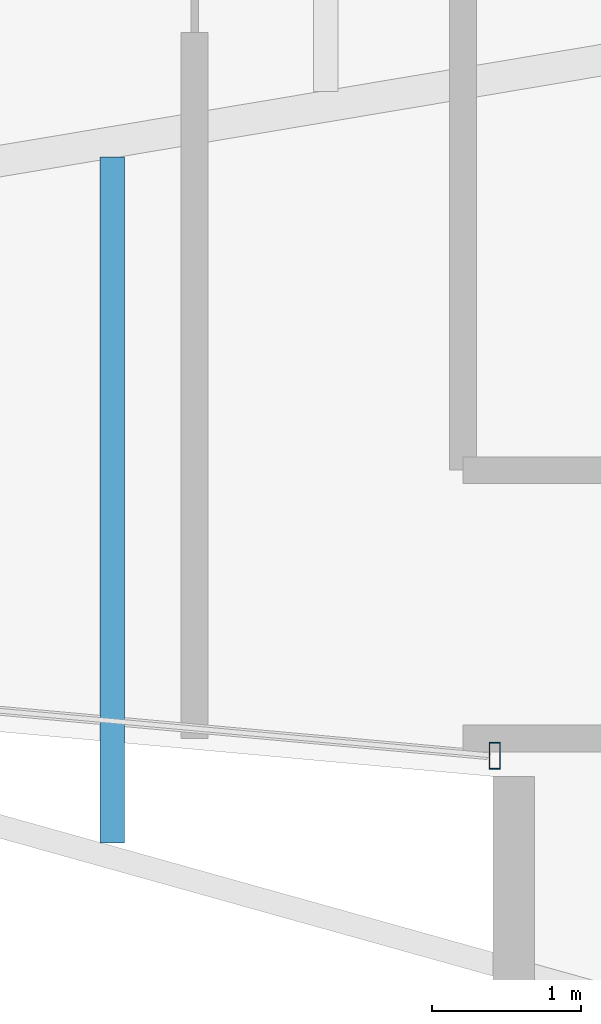
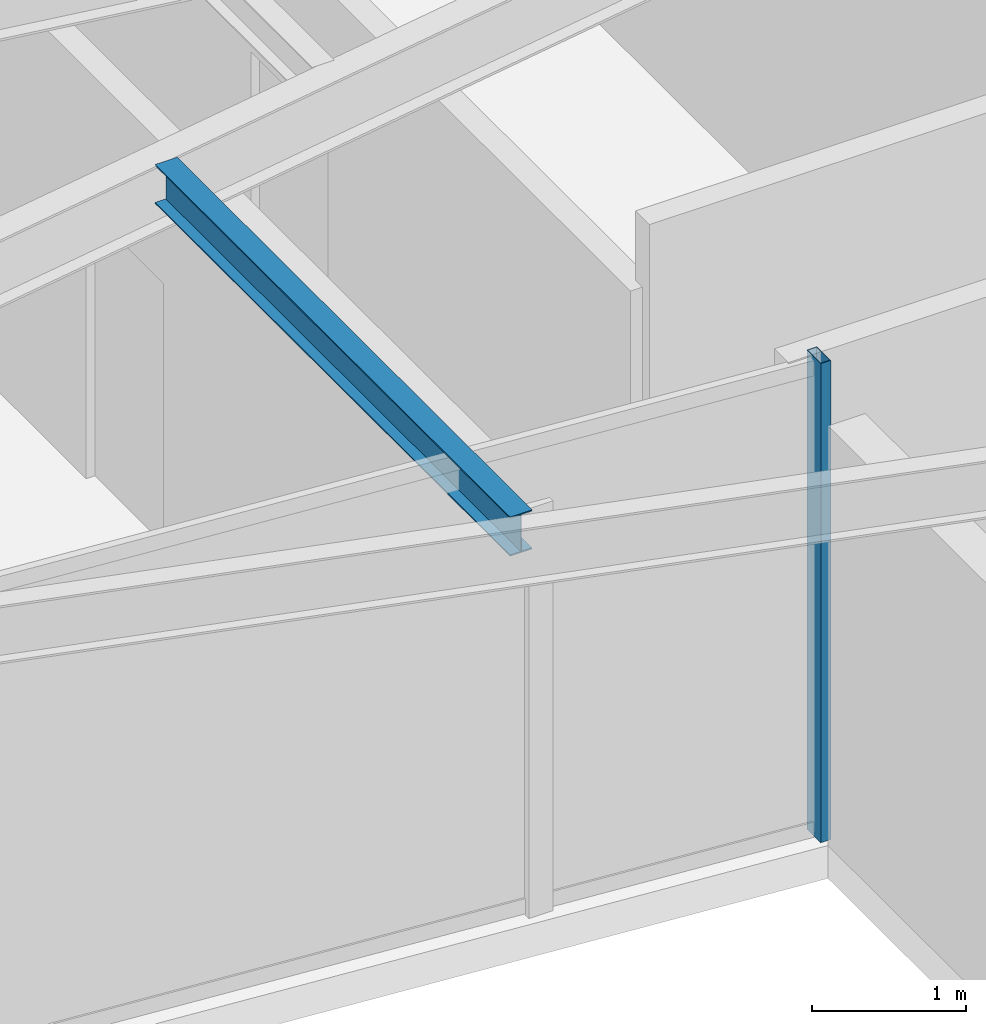
# One storey, part 4 of 23: 1 beam, 1 member, 1 element without a shape of its own.
"""IFC4 building model written with IfcOpenShell, lengths in metres."""

import ifcopenshell
import ifcopenshell.guid

model = None  # the IFC model being written
_history = None  # IfcOwnerHistory: only IFC2X3 demands one
_inside = {}  # id of a spatial element -> (the spatial element, [elements in it])
_under = {}  # id of a project, library or spatial element -> (it, [spatial elements below it])
_declared = {}  # id of a project -> (the project, [libraries it declares])
_typed = {}  # id of a type object -> (the type object, [elements of that type])
_made_of = {}  # id of a material, layer set ... -> (it, [elements and type objects made of it])


def new_model(schema):
    """Start an empty IFC model of exactly this schema.

    Asked for "IFC4X3", IfcOpenShell would pick the latest addendum, in which some entities
    have other attributes; the version numbers below select the first issue.
    IFC2X3 requires an IfcOwnerHistory on every rooted entity: one is made here for all.
    """
    global model, _history
    if schema == "IFC4X3":
        model = ifcopenshell.file(schema_version=(4, 3, 0, 0))
    else:
        model = ifcopenshell.file(schema=schema)
    _inside.clear()
    _under.clear()
    _declared.clear()
    _typed.clear()
    _made_of.clear()
    _history = None
    if model.schema == "IFC2X3":
        org = make("IfcOrganization", Name="unknown")
        user = make(
            "IfcPersonAndOrganization",
            ThePerson=make("IfcPerson", FamilyName="unknown"),
            TheOrganization=org,
        )
        app = make(
            "IfcApplication",
            ApplicationDeveloper=org,
            Version="unknown",
            ApplicationFullName="unknown",
            ApplicationIdentifier="unknown",
        )
        _history = make(
            "IfcOwnerHistory",
            OwningUser=user,
            OwningApplication=app,
            ChangeAction="ADDED",
            CreationDate=0,
        )
    return model


def make(cls, **values):
    """One entity of the class cls with the attributes given. An attribute that is None is left unset."""
    return model.create_entity(
        cls, **{name: value for name, value in values.items() if value is not None}
    )


def rooted(cls, **values):
    """An entity with a GlobalId (a new one), such as an element, a storey or a relation."""
    return make(cls, GlobalId=ifcopenshell.guid.new(), OwnerHistory=_history, **values)


def si_unit(unit_type, name, prefix=None):
    """IfcSIUnit, for example si_unit("LENGTHUNIT", "METRE", prefix="MILLI")."""
    return make("IfcSIUnit", UnitType=unit_type, Prefix=prefix, Name=name)


def assignment(units):
    """IfcUnitAssignment: the units of a project."""
    return None if units is None else make("IfcUnitAssignment", Units=units)


def point(xyz):
    """IfcCartesianPoint."""
    return None if xyz is None else make("IfcCartesianPoint", Coordinates=xyz)


def direction(xyz):
    """IfcDirection."""
    return None if xyz is None else make("IfcDirection", DirectionRatios=xyz)


def frame(location, z_axis=None, x_axis=None):
    """IfcAxis2Placement3D, a coordinate frame: its origin and axes. An axis left out is left unset."""
    return make(
        "IfcAxis2Placement3D",
        Location=point(location),
        Axis=direction(z_axis),
        RefDirection=direction(x_axis),
    )


def frame_2d(location, x_axis=None):
    """IfcAxis2Placement2D, a coordinate frame in the plane: its origin and x axis."""
    return make(
        "IfcAxis2Placement2D", Location=point(location), RefDirection=direction(x_axis)
    )


def origin():
    """The frame at (0, 0, 0) with its axes left unset."""
    return frame((0.0, 0.0, 0.0))


def origin_2d():
    """The frame at (0, 0) in the plane with its x axis left unset."""
    return frame_2d((0.0, 0.0))


def place(relative_to, where):
    """IfcLocalPlacement: puts the frame where relative to a parent placement (None: the world)."""
    return make(
        "IfcLocalPlacement", PlacementRelTo=relative_to, RelativePlacement=where
    )


def context(
    kind, dimensions, precision=None, world=None, true_north=None, identifier=None
):
    """IfcGeometricRepresentationContext, for example the 3D "Model" context."""
    return make(
        "IfcGeometricRepresentationContext",
        ContextIdentifier=identifier,
        ContextType=kind,
        CoordinateSpaceDimension=dimensions,
        Precision=precision,
        WorldCoordinateSystem=world,
        TrueNorth=true_north,
    )


def subcontext(parent, identifier, kind, view, scale=None):
    """IfcGeometricRepresentationSubContext, for example "Body" below "Model"."""
    return make(
        "IfcGeometricRepresentationSubContext",
        ContextIdentifier=identifier,
        ContextType=kind,
        ParentContext=parent,
        TargetScale=scale,
        TargetView=view,
    )


def project(units=None, contexts=None):
    """IfcProject with its units and contexts."""
    return rooted(
        "IfcProject",
        Name="project",
        RepresentationContexts=contexts,
        UnitsInContext=assignment(units),
    )


def spatial(cls, under=None, at=None, **own):
    """A site, building, storey or space (cls), placed at a placement, below another one or the project."""
    s = rooted(cls, ObjectPlacement=at, **own)
    if under is not None:
        _under.setdefault(under.id(), (under, []))[1].append(s)
    return s


def profile(cls, at=None, kind="AREA", **sizes):
    """A parametric profile (cls). Its sizes go by their IFC names, for example OverallWidth=200.0."""
    return make(cls, ProfileType=kind, Position=at, **sizes)


def hollow_rectangle(**sizes):
    """IfcRectangleHollowProfileDef."""
    return profile("IfcRectangleHollowProfileDef", **sizes)


def i_section(**sizes):
    """IfcIShapeProfileDef."""
    return profile("IfcIShapeProfileDef", **sizes)


def extrude(swept, where, along, depth):
    """IfcExtrudedAreaSolid: the profile swept, set in the frame where, extruded along a direction by depth."""
    return make(
        "IfcExtrudedAreaSolid",
        SweptArea=swept,
        Position=where,
        ExtrudedDirection=direction(along),
        Depth=depth,
    )


def shape(context_of_items, identifier, shape_type, items):
    """IfcShapeRepresentation: the items that make up one representation, for example the "Body"."""
    return make(
        "IfcShapeRepresentation",
        ContextOfItems=context_of_items,
        RepresentationIdentifier=identifier,
        RepresentationType=shape_type,
        Items=items,
    )


def material(Name=None, Category=None):
    """IfcMaterial."""
    return make("IfcMaterial", Name=Name, Category=Category)


def layer(
    of_material, thickness, ventilated=None, Name=None, Category=None, Priority=None
):
    """IfcMaterialLayer: one layer of a wall or slab, of a material (None: an air gap)."""
    return make(
        "IfcMaterialLayer",
        Material=of_material,
        LayerThickness=thickness,
        IsVentilated=ventilated,
        Name=Name,
        Category=Category,
        Priority=Priority,
    )


def layer_set(layers, Name=None):
    """IfcMaterialLayerSet."""
    return make("IfcMaterialLayerSet", MaterialLayers=layers, LayerSetName=Name)


def material_profile(
    of_material, cross_section, Name=None, Category=None, Priority=None
):
    """IfcMaterialProfile: a cross section and its material."""
    return make(
        "IfcMaterialProfile",
        Name=Name,
        Material=of_material,
        Profile=cross_section,
        Priority=Priority,
        Category=Category,
    )


def profile_set(profiles, Name=None, composite=None):
    """IfcMaterialProfileSet."""
    return make(
        "IfcMaterialProfileSet",
        Name=Name,
        MaterialProfiles=profiles,
        CompositeProfile=composite,
    )


def made_of(thing, what):
    """Note that an element or type object is made of a material, layer set ...; save() writes the relation."""
    if what is not None:
        _made_of.setdefault(what.id(), (what, []))[1].append(thing)
    return thing


def type_object(cls, material=None, **own):
    """A type object (cls), such as IfcWallType, which elements share."""
    return made_of(rooted(cls, **own), material)


def element(
    cls,
    number,
    at=None,
    inside=None,
    cuts=None,
    type_object=None,
    material=None,
    context=None,
    identifier="Body",
    shape_type=None,
    held_by="IfcProductDefinitionShape",
    body=None,
    shapes=None,
    **own,
):
    """One element of the class cls, such as IfcWall. Its Tag is "e" and its number.

    at: its placement. inside: the storey or other place that contains it. cuts: it is an
    opening in that element (IfcRelVoidsElement). A single representation is given by context,
    identifier, shape_type and body (its items); several are given by shapes. held_by: the class
    of the entity that holds the representations. save() writes the other relations.
    """
    e = rooted(cls, Tag="e%d" % number, ObjectPlacement=at, **own)
    if body is not None:
        shapes = [shape(context, identifier, shape_type, body)]
    if shapes is not None:
        e.Representation = make(held_by, Representations=shapes)
    if inside is not None:
        _inside.setdefault(inside.id(), (inside, []))[1].append(e)
    if cuts is not None:
        rooted(
            "IfcRelVoidsElement", RelatingBuildingElement=cuts, RelatedOpeningElement=e
        )
    if type_object is not None:
        _typed.setdefault(type_object.id(), (type_object, []))[1].append(e)
    return made_of(e, material)


def aggregate(whole, parts):
    """IfcRelAggregates: a whole, such as a stair, and the parts it consists of."""
    return rooted("IfcRelAggregates", RelatingObject=whole, RelatedObjects=parts)


def save(model, path):
    """Write the relations noted so far, then the file.

    IfcRelAggregates (storeys below a building ...), IfcRelContainedInSpatialStructure (elements
    in a storey), IfcRelDefinesByType, IfcRelAssociatesMaterial and IfcRelDeclares: one each for
    every whole, place, type object, material and project.
    """
    for whole, parts in _under.values():
        aggregate(whole, parts)
    for where, things in _inside.values():
        rooted(
            "IfcRelContainedInSpatialStructure",
            RelatedElements=things,
            RelatingStructure=where,
        )
    for kind, things in _typed.values():
        rooted("IfcRelDefinesByType", RelatedObjects=things, RelatingType=kind)
    for what, things in _made_of.values():
        rooted("IfcRelAssociatesMaterial", RelatedObjects=things, RelatingMaterial=what)
    for by, libraries in _declared.values():
        rooted("IfcRelDeclares", RelatingContext=by, RelatedDefinitions=libraries)
    model.write(path)


model = new_model("IFC4")

# Units and contexts
model_context = context("Model", 3, precision=1e-05, world=origin(), true_north=direction((0.0, 1.0)))
body_context = subcontext(model_context, "Body", "Model", "MODEL_VIEW")
ifc_project = project(units=[si_unit("LENGTHUNIT", "METRE"), si_unit("AREAUNIT", "SQUARE_METRE"), si_unit("VOLUMEUNIT", "CUBIC_METRE"), si_unit("PLANEANGLEUNIT", "RADIAN"), si_unit("MASSUNIT", "GRAM", prefix="KILO")], contexts=[model_context])

# Site, building, storey
site_placement = place(None, origin())
site = spatial("IfcSite", under=ifc_project, at=site_placement, CompositionType="ELEMENT")
building_placement = place(site_placement, origin())
building = spatial("IfcBuilding", under=site, at=building_placement, Name="Veymaron Broadcast Tower", CompositionType="ELEMENT")
storey_placement = place(building_placement, frame((0.0, 0.0, 199.949951171875)))
storey = spatial("IfcBuildingStorey", under=building, at=storey_placement, Name="L46", CompositionType="ELEMENT", Elevation=199.949951171875)

# Beam
ifc_material_1 = material(Name="Structural steel ASTM A992 Gr 50", Category="steel")
ifc_material_profile_1 = material_profile(ifc_material_1, i_section(OverallWidth=0.1650390625, OverallDepth=0.31005859375, WebThickness=0.005859375, FlangeThickness=0.009765625, at=origin_2d()), Name="W310X39")
ifc_profile_set_1 = profile_set([ifc_material_profile_1], Name="Structural steel ASTM A992 Gr 50")
beam_type = type_object("IfcBeamType", Name="BM-JS3", PredefinedType="JOIST", material=ifc_profile_set_1)
beam_placement = place(storey_placement, frame((24.048095703125, 18.10009765625, 3.635009765625), z_axis=(0.0, 1.0, 0.0), x_axis=(-1.0, 0.0, 0.0)))
element("IfcBeam", 1, at=beam_placement, inside=storey, type_object=beam_type, Name="L46 Arm-A secondary joist 2S", PredefinedType="JOIST", context=body_context, shape_type="SweptSolid", body=[
    extrude(i_section(OverallWidth=0.1650390625, OverallDepth=0.31005859375, WebThickness=0.005859375, FlangeThickness=0.009765625, at=origin_2d()), origin(), (0.0, 0.0, 1.0), 4.599853515625),
])

# Curtain wall, member
ifc_material_2 = material(Name="Anodised aluminium AA 6063-T6 and laminated low-E dark glass", Category="aluminium")
ifc_layer = layer(ifc_material_2, 0.179931640625)
ifc_layer_set = layer_set([ifc_layer], Name="Anodised aluminium AA 6063-T6 and laminated low-E dark glass")
curtain_wall_type = type_object("IfcCurtainWallType", Name="CW-SYS-05", PredefinedType="NOTDEFINED", material=ifc_layer_set)
curtain_wall_placement = place(storey_placement, origin())
curtain_wall = element("IfcCurtainWall", 2, at=curtain_wall_placement, inside=storey, type_object=curtain_wall_type, Name="L46 dark-glass curtain wall CW-L46-E14-1", PredefinedType="NOTDEFINED")
ifc_material_3 = material(Name="Anodised aluminium AA 6063-T6", Category="aluminium")
ifc_material_profile_2 = material_profile(ifc_material_3, hollow_rectangle(XDim=0.074951171875, YDim=0.179931640625, WallThickness=0.0048828125, at=origin_2d()), Name="AL180X75X5")
ifc_profile_set_2 = profile_set([ifc_material_profile_2], Name="Anodised aluminium AA 6063-T6")
member_type = type_object("IfcMemberType", Name="CW-MUL-02", PredefinedType="MULLION", material=ifc_profile_set_2)
member_placement = place(storey_placement, frame((26.61279296875, 18.684814453125, 0.0), z_axis=(0.0, 0.0, 1.0), x_axis=(1.0, 0.0, 0.0)))
member = element("IfcMember", 3, at=member_placement, type_object=member_type, Name="CW-L46-E14-1 mullion 2", PredefinedType="MULLION", context=body_context, shape_type="SweptSolid", body=[
    extrude(hollow_rectangle(XDim=0.074951171875, YDim=0.179931640625, WallThickness=0.0048828125, at=origin_2d()), origin(), (0.0, 0.0, 1.0), 3.7900390625),
])
aggregate(curtain_wall, [member])

save(model, "model.ifc")
